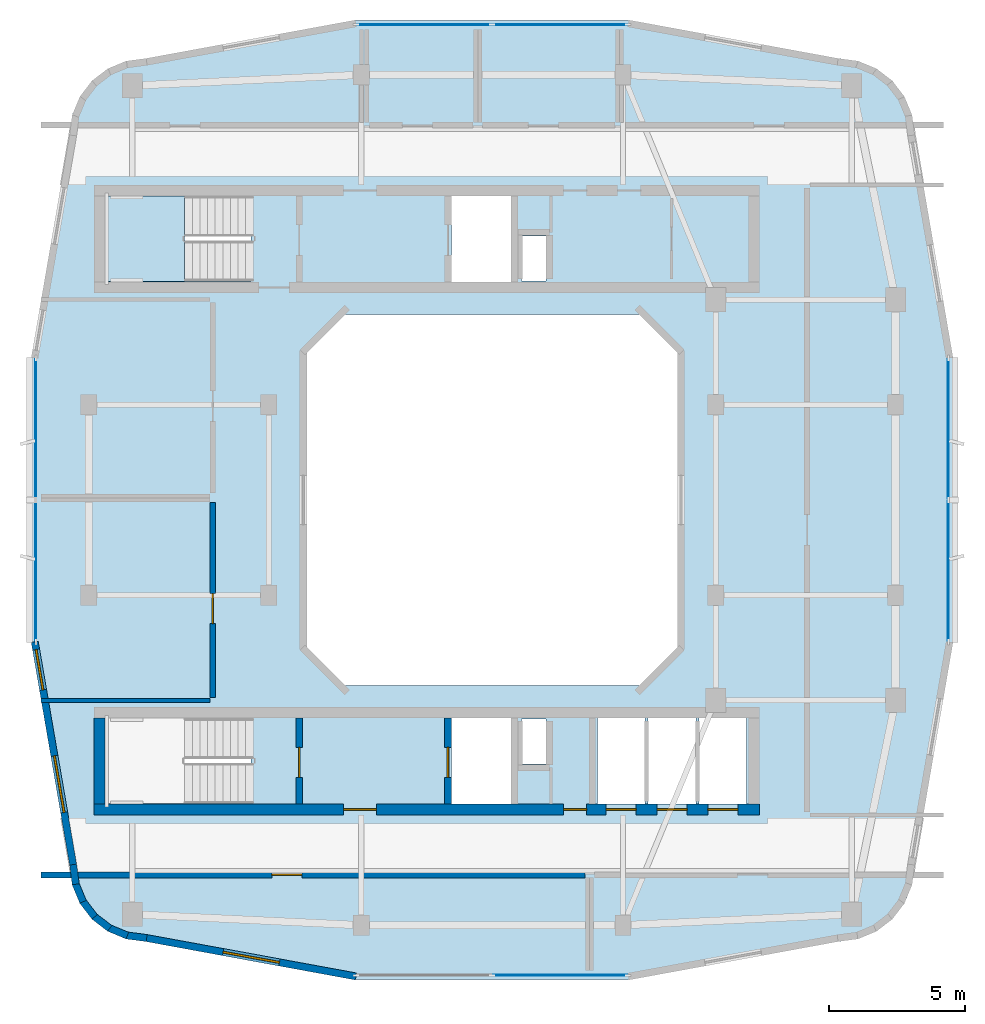
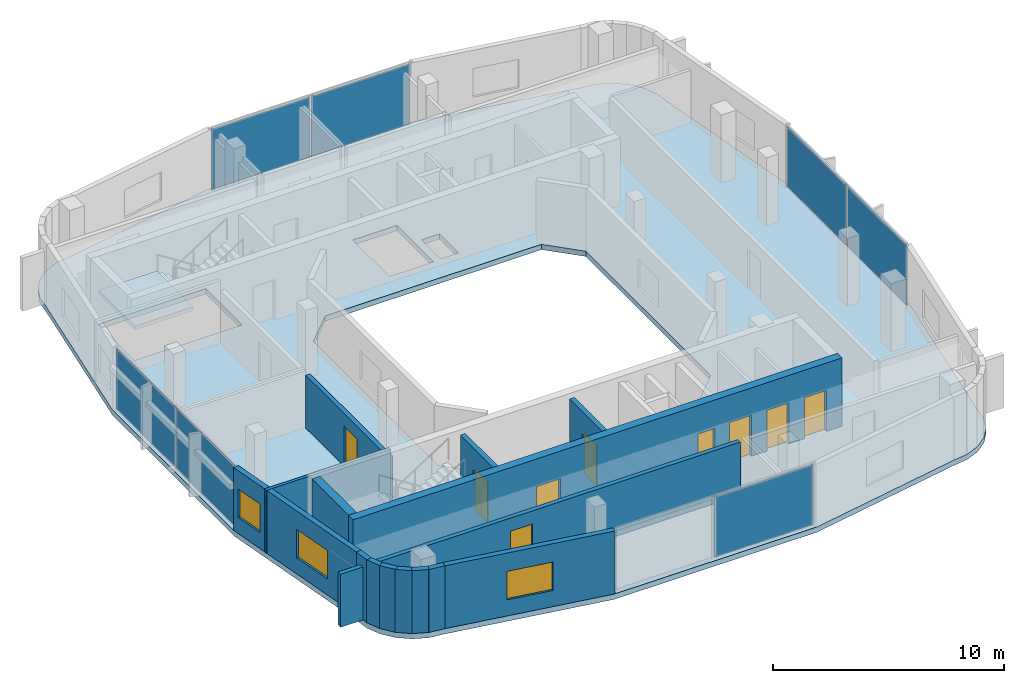
# One storey, part 3 of 10: 15 walls, 9 doors, 7 plates, 3 windows, 2 slabs, 12 openings, 5 elements without a shape of their own.
"""IFC4 building model written with IfcOpenShell, lengths in metres."""

from ifc_helpers import new_model, si_unit, derived_unit, direction, frame, frame_2d, origin, origin_2d, place, context, subcontext, project, spatial, polyline, rectangle, outline, extrude, material, layer, layer_set, type_object, element, fill, aggregate, save


model = new_model("IFC4")

# Units and contexts
model_context = context("Model", 3, precision=1e-05, world=origin(), true_north=direction((0.0, 1.0)))
body_context = subcontext(model_context, "Body", "Model", "MODEL_VIEW")
ifc_project = project(units=[si_unit("LENGTHUNIT", "METRE"), si_unit("AREAUNIT", "SQUARE_METRE"), si_unit("VOLUMEUNIT", "CUBIC_METRE"), si_unit("PLANEANGLEUNIT", "RADIAN"), si_unit("MASSUNIT", "GRAM", prefix="KILO"), derived_unit("THERMALTRANSMITTANCEUNIT", [(si_unit("POWERUNIT", "WATT"), 1), (si_unit("LENGTHUNIT", "METRE"), -2), (si_unit("THERMODYNAMICTEMPERATUREUNIT", "KELVIN"), -1)])], contexts=[model_context])

# Site, building, storey
site_placement = place(None, origin())
site = spatial("IfcSite", under=ifc_project, at=site_placement, CompositionType="ELEMENT")
building_placement = place(site_placement, origin())
building = spatial("IfcBuilding", under=site, at=building_placement, Name="Kivonza Crest Hotel", CompositionType="ELEMENT")
storey_placement = place(building_placement, frame((0.0, 0.0, 264.800048828125)))
storey = spatial("IfcBuildingStorey", under=building, at=storey_placement, Name="L72", CompositionType="ELEMENT", Elevation=264.800048828125)

# Curtain wall, plate
ifc_material_1 = material(Name="Anodised bronze aluminium and low-E double glazing", Category="aluminium")
ifc_layer_1 = layer(ifc_material_1, 0.199951171875)
ifc_layer_set_1 = layer_set([ifc_layer_1], Name="Anodised bronze aluminium and low-E double glazing")
curtain_wall_type = type_object("IfcCurtainWallType", Name="CW-SYS-6", PredefinedType="NOTDEFINED", material=ifc_layer_set_1)
curtain_wall_1_placement = place(storey_placement, origin())
curtain_wall_1 = element("IfcCurtainWall", 1, at=curtain_wall_1_placement, inside=storey, type_object=curtain_wall_type, Name="L72 unitised curtain wall CW-T1-L72-08", PredefinedType="NOTDEFINED")
ifc_material_2 = material(Name="Acoustic triple-laminated low-E glazing", Category="glass")
ifc_layer_2 = layer(ifc_material_2, 0.035888671875)
ifc_layer_set_2 = layer_set([ifc_layer_2], Name="Acoustic triple-laminated low-E glazing")
plate_type = type_object("IfcPlateType", Name="CW-PNL-36", PredefinedType="CURTAIN_PANEL", material=ifc_layer_set_2)
plate_1_placement = place(storey_placement, frame((23.496337890625, 7.56005859375, 0.074951171875), z_axis=(0.0, 0.0, 1.0), x_axis=(1.0, 0.0, 0.0)))
plate_1 = element("IfcPlate", 2, at=plate_1_placement, type_object=plate_type, Name="CW-6 panel 2.1", PredefinedType="CURTAIN_PANEL", context=body_context, shape_type="SweptSolid", body=[
    extrude(rectangle(XDim=4.91748046875, YDim=0.035888671875, at=origin_2d()), origin(), (0.0, 0.0, 1.0), 3.169921875),
])
aggregate(curtain_wall_1, [plate_1])

# Curtain wall, plates
curtain_wall_2_placement = place(storey_placement, origin())
curtain_wall_2 = element("IfcCurtainWall", 3, at=curtain_wall_2_placement, inside=storey, type_object=curtain_wall_type, Name="L72 unitised curtain wall CW-T1-L72-17", PredefinedType="NOTDEFINED")
plate_2_placement = place(storey_placement, frame((37.739990234375, 22.398681640625, 0.074951171875), z_axis=(0.0, 0.0, 1.0), x_axis=(0.0, 1.0, 0.0)))
plate_2 = element("IfcPlate", 4, at=plate_2_placement, type_object=plate_type, Name="CW-6 panel 1.1", PredefinedType="CURTAIN_PANEL", context=body_context, shape_type="SweptSolid", body=[
    extrude(rectangle(XDim=5.12744140625, YDim=0.035888671875, at=origin_2d()), origin(), (0.0, 0.0, 1.0), 3.169921875),
])
plate_3_placement = place(storey_placement, frame((37.739990234375, 27.601318359375, 0.074951171875), z_axis=(0.0, 0.0, 1.0), x_axis=(0.0, 1.0, 0.0)))
plate_3 = element("IfcPlate", 5, at=plate_3_placement, type_object=plate_type, Name="CW-6 panel 2.1", PredefinedType="CURTAIN_PANEL", context=body_context, shape_type="SweptSolid", body=[
    extrude(rectangle(XDim=5.12744140625, YDim=0.035888671875, at=origin_2d()), origin(), (0.0, 0.0, 1.0), 3.169921875),
])
aggregate(curtain_wall_2, [plate_2, plate_3])

curtain_wall_3_placement = place(storey_placement, origin())
curtain_wall_3 = element("IfcCurtainWall", 6, at=curtain_wall_3_placement, inside=storey, type_object=curtain_wall_type, Name="L72 unitised curtain wall CW-T1-L72-26", PredefinedType="NOTDEFINED")
plate_4_placement = place(storey_placement, frame((23.496337890625, 42.43994140625, 0.074951171875), z_axis=(0.0, 0.0, 1.0), x_axis=(-1.0, 0.0, 0.0)))
plate_4 = element("IfcPlate", 7, at=plate_4_placement, type_object=plate_type, Name="CW-6 panel 1.1", PredefinedType="CURTAIN_PANEL", context=body_context, shape_type="SweptSolid", body=[
    extrude(rectangle(XDim=4.91748046875, YDim=0.035888671875, at=origin_2d()), origin(), (0.0, 0.0, 1.0), 3.169921875),
])
plate_5_placement = place(storey_placement, frame((18.503662109375, 42.43994140625, 0.074951171875), z_axis=(0.0, 0.0, 1.0), x_axis=(-1.0, 0.0, 0.0)))
plate_5 = element("IfcPlate", 8, at=plate_5_placement, type_object=plate_type, Name="CW-6 panel 2.1", PredefinedType="CURTAIN_PANEL", context=body_context, shape_type="SweptSolid", body=[
    extrude(rectangle(XDim=4.91748046875, YDim=0.035888671875, at=origin_2d()), origin(), (0.0, 0.0, 1.0), 3.169921875),
])
aggregate(curtain_wall_3, [plate_4, plate_5])

curtain_wall_4_placement = place(storey_placement, origin())
curtain_wall_4 = element("IfcCurtainWall", 9, at=curtain_wall_4_placement, inside=storey, type_object=curtain_wall_type, Name="L72 unitised curtain wall CW-T1-L72-35", PredefinedType="NOTDEFINED")
plate_6_placement = place(storey_placement, frame((4.260009765625, 27.601318359375, 0.074951171875), z_axis=(0.0, 0.0, 1.0), x_axis=(0.0, -1.0, 0.0)))
plate_6 = element("IfcPlate", 10, at=plate_6_placement, type_object=plate_type, Name="CW-6 panel 1.1", PredefinedType="CURTAIN_PANEL", context=body_context, shape_type="SweptSolid", body=[
    extrude(rectangle(XDim=5.12744140625, YDim=0.035888671875, at=origin_2d()), origin(), (0.0, 0.0, 1.0), 3.169921875),
])
plate_7_placement = place(storey_placement, frame((4.260009765625, 22.398681640625, 0.074951171875), z_axis=(0.0, 0.0, 1.0), x_axis=(0.0, -1.0, 0.0)))
plate_7 = element("IfcPlate", 11, at=plate_7_placement, type_object=plate_type, Name="CW-6 panel 2.1", PredefinedType="CURTAIN_PANEL", context=body_context, shape_type="SweptSolid", body=[
    extrude(rectangle(XDim=5.12744140625, YDim=0.035888671875, at=origin_2d()), origin(), (0.0, 0.0, 1.0), 3.169921875),
])
aggregate(curtain_wall_4, [plate_6, plate_7])

# Slab
ifc_material_3 = material(Name="Concrete C40/50", Category="concrete")
ifc_layer_3 = layer(ifc_material_3, 0.280029296875)
ifc_layer_set_3 = layer_set([ifc_layer_3], Name="Concrete C40/50")
slab_type_1 = type_object("IfcSlabType", Name="SL-HTL-280", PredefinedType="FLOOR", material=ifc_layer_set_3)
slab_1_placement = place(storey_placement, frame((0.0, 0.0, -0.280029296875)))
element("IfcSlab", 12, at=slab_1_placement, inside=storey, type_object=slab_type_1, Name="Tower T1 L72 floor slab", PredefinedType="FLOOR", context=body_context, shape_type="SweptSolid", body=[
    extrude(outline(polyline([(5.5, 11.60009765625), (5.594970703125, 10.875), (5.875, 10.199951171875), (6.320068359375, 9.6201171875), (6.89990234375, 9.175048828125), (7.574951171875, 8.89501953125), (8.300048828125, 8.800048828125), (15.929931640625, 7.39990234375), (26.070068359375, 7.39990234375), (33.699951171875, 8.800048828125), (34.425048828125, 8.89501953125), (35.10009765625, 9.175048828125), (35.679931640625, 9.6201171875), (36.125, 10.199951171875), (36.405029296875, 10.875), (36.5, 11.60009765625), (37.89990234375, 19.719970703125), (37.89990234375, 30.280029296875), (36.5, 38.39990234375), (36.405029296875, 39.125), (36.125, 39.800048828125), (35.679931640625, 40.3798828125), (35.10009765625, 40.824951171875), (34.425048828125, 41.10498046875), (33.699951171875, 41.199951171875), (26.070068359375, 42.60009765625), (15.929931640625, 42.60009765625), (8.300048828125, 41.199951171875), (7.574951171875, 41.10498046875), (6.89990234375, 40.824951171875), (6.320068359375, 40.3798828125), (5.875, 39.800048828125), (5.594970703125, 39.125), (5.5, 38.39990234375), (4.10009765625, 30.280029296875), (4.10009765625, 19.719970703125), (5.5, 11.60009765625)]), holes=[polyline([(15.60009765625, 18.199951171875), (26.39990234375, 18.199951171875), (27.800048828125, 19.60009765625), (27.800048828125, 30.39990234375), (26.39990234375, 31.800048828125), (15.60009765625, 31.800048828125), (14.199951171875, 30.39990234375), (14.199951171875, 19.60009765625), (15.60009765625, 18.199951171875)]), polyline([(6.800048828125, 33.02001953125), (12.159912109375, 33.02001953125), (12.159912109375, 36.159912109375), (6.800048828125, 36.159912109375), (6.800048828125, 33.02001953125)]), polyline([(6.800048828125, 13.860107421875), (12.159912109375, 13.860107421875), (12.159912109375, 17.0), (6.800048828125, 17.0), (6.800048828125, 13.860107421875)]), polyline([(22.080078125, 33.0400390625), (22.969970703125, 33.0400390625), (22.969970703125, 34.679931640625), (22.080078125, 34.679931640625), (22.080078125, 33.0400390625)]), polyline([(22.080078125, 15.320068359375), (22.969970703125, 15.320068359375), (22.969970703125, 16.9599609375), (22.080078125, 16.9599609375), (22.080078125, 15.320068359375)]), polyline([(19.5, 33.0), (21.699951171875, 33.0), (21.699951171875, 36.159912109375), (19.5, 36.159912109375), (19.5, 33.0)]), polyline([(19.5, 13.840087890625), (21.699951171875, 13.840087890625), (21.699951171875, 17.0), (19.5, 17.0), (19.5, 13.840087890625)]), polyline([(24.860107421875, 13.840087890625), (26.60693359375, 13.840087890625), (26.60693359375, 17.0), (24.860107421875, 17.0), (24.860107421875, 13.840087890625)]), polyline([(26.72705078125, 13.840087890625), (28.472900390625, 13.840087890625), (28.472900390625, 17.0), (26.72705078125, 17.0), (26.72705078125, 13.840087890625)]), polyline([(28.593017578125, 13.840087890625), (30.340087890625, 13.840087890625), (30.340087890625, 17.0), (28.593017578125, 17.0), (28.593017578125, 13.840087890625)])]), origin(), (0.0, 0.0, 1.0), 0.280029296875),
])

# Stair, slab
stair_type = type_object("IfcStairType", Name="ST-DL-20R", PredefinedType="HALF_TURN_STAIR", material=ifc_material_3)
stair_placement = place(storey_placement, origin())
stair = element("IfcStair", 13, at=stair_placement, inside=storey, type_object=stair_type, Name="L72 Protected Exit Stair ST-T1-N", PredefinedType="HALF_TURN_STAIR")
ifc_layer_4 = layer(ifc_material_3, 0.199951171875)
ifc_layer_set_4 = layer_set([ifc_layer_4], Name="Concrete C40/50")
slab_type_2 = type_object("IfcSlabType", Name="SL-LAND-200", PredefinedType="LANDING", material=ifc_layer_set_4)
slab_2_placement = place(storey_placement, frame((0.0, 0.0, 1.599853515625)))
slab_2 = element("IfcSlab", 14, at=slab_2_placement, type_object=slab_type_2, Name="ST-T1-N landing 1", PredefinedType="LANDING", context=body_context, shape_type="SweptSolid", body=[
    extrude(outline(polyline([(9.719970703125, 36.159912109375), (6.800048828125, 36.159912109375), (6.800048828125, 33.02001953125), (9.719970703125, 33.02001953125), (9.719970703125, 36.159912109375)])), origin(), (0.0, 0.0, 1.0), 0.2001953125),
])
aggregate(stair, [slab_2])

# Wall, opening, door
ifc_material_4 = material(Name="Autoclaved aerated concrete blockwork", Category="masonry")
ifc_layer_5 = layer(ifc_material_4, 0.219970703125)
ifc_layer_set_5 = layer_set([ifc_layer_5], Name="Autoclaved aerated concrete blockwork")
wall_type_1 = type_object("IfcWallType", Name="WL-ACOU-220", PredefinedType="SOLIDWALL", material=ifc_layer_set_5)
wall_1_placement = place(storey_placement, frame((10.75, 17.75, 0.0), z_axis=(0.0, 0.0, 1.0), x_axis=(0.0, 1.0, 0.0)))
wall_1 = element("IfcWall", 15, at=wall_1_placement, inside=storey, type_object=wall_type_1, Name="L72 interior partition WA-L72-PDR-A-E", PredefinedType="SOLIDWALL", context=body_context, shape_type="SweptSolid", body=[
    extrude(rectangle(XDim=7.14990234375, YDim=0.219970703125, at=frame_2d((3.574951171875, 0.0))), origin(), (0.0, 0.0, 1.0), 2.794921875),
])
opening_1_placement = place(wall_1_placement, frame((2.712890625, 0.0, 0.0)))
opening_1 = element("IfcOpeningElement", 16, at=opening_1_placement, cuts=wall_1, Name="Opening DF-60M", PredefinedType="OPENING", context=body_context, shape_type="SweptSolid", body=[
    extrude(rectangle(XDim=1.10009765625, YDim=2.10009765625, at=frame_2d((0.550048828125, 1.050048828125))), frame((0.0, 0.1201171875, 0.0), z_axis=(0.0, -1.0, 0.0), x_axis=(1.0, 0.0, 0.0)), (0.0, 0.0, 1.0), 0.239990234375),
])
ifc_material_5 = material(Name="Hardwood timber oak", Category="wood")
door_type_1 = type_object("IfcDoorType", Name="DR-FD60-1100", OperationType="NOTDEFINED", PredefinedType="DOOR", material=ifc_material_5)
door_1_placement = place(opening_1_placement, origin())
door_1 = element("IfcDoor", 17, at=door_1_placement, inside=storey, type_object=door_type_1, Name="L72 Private Horizon Dining Room door", OperationType="SINGLE_SWING_RIGHT", OverallHeight=2.10009765625, OverallWidth=1.10009765625, PredefinedType="DOOR", context=body_context, shape_type="SweptSolid", body=[
    extrude(rectangle(XDim=1.10009765625, YDim=2.10009765625, at=frame_2d((0.550048828125, 1.050048828125))), frame((0.0, 0.02490234375, 0.0), z_axis=(0.0, -1.0, 0.0), x_axis=(1.0, 0.0, 0.0)), (0.0, 0.0, 1.0), 0.050048828125),
])
fill(opening_1, door_1)

wall_2_placement = place(storey_placement, frame((4.43994140625, 11.25, 0.0), z_axis=(0.0, 0.0, 1.0), x_axis=(1.0, 0.0, 0.0)))
wall_2 = element("IfcWall", 18, at=wall_2_placement, inside=storey, type_object=wall_type_1, Name="L72 interior partition WA-L72-CRKIT-N", PredefinedType="SOLIDWALL", context=body_context, shape_type="SweptSolid", body=[
    extrude(rectangle(XDim=19.9599609375, YDim=0.219970703125, at=frame_2d((9.97998046875, 0.0))), origin(), (0.0, 0.0, 1.0), 2.794921875),
])
opening_2_placement = place(wall_2_placement, frame((8.47705078125, 0.0, 0.0)))
opening_2 = element("IfcOpeningElement", 19, at=opening_2_placement, cuts=wall_2, Name="Opening DF-60M", PredefinedType="OPENING", context=body_context, shape_type="SweptSolid", body=[
    extrude(rectangle(XDim=1.10009765625, YDim=2.10009765625, at=frame_2d((0.550048828125, 1.050048828125))), frame((0.0, 0.1201171875, 0.0), z_axis=(0.0, -1.0, 0.0), x_axis=(1.0, 0.0, 0.0)), (0.0, 0.0, 1.0), 0.239990234375),
])
door_2_placement = place(opening_2_placement, frame((1.10009765625, 0.0, 0.0), z_axis=(0.0, 0.0, 1.0), x_axis=(-1.0, 0.0, 0.0)))
door_2 = element("IfcDoor", 20, at=door_2_placement, inside=storey, type_object=door_type_1, Name="L72 Sky Restaurant Finishing Kitchen door", OperationType="SINGLE_SWING_RIGHT", OverallHeight=2.10009765625, OverallWidth=1.10009765625, PredefinedType="DOOR", context=body_context, shape_type="SweptSolid", body=[
    extrude(rectangle(XDim=1.10009765625, YDim=2.10009765625, at=frame_2d((0.550048828125, 1.050048828125))), frame((0.0, 0.02490234375, 0.0), z_axis=(0.0, -1.0, 0.0), x_axis=(1.0, 0.0, 0.0)), (0.0, 0.0, 1.0), 0.050048828125),
])
fill(opening_2, door_2)

# Wall, openings, doors
ifc_material_6 = material(Name="Concrete C50/60", Category="concrete")
ifc_layer_6 = layer(ifc_material_6, 0.39990234375)
ifc_layer_set_6 = layer_set([ifc_layer_6], Name="Concrete C50/60")
wall_type_2 = type_object("IfcWallType", Name="WL-CORE-400", PredefinedType="SHEAR", material=ifc_layer_set_6)
wall_3_placement = place(storey_placement, frame((6.39990234375, 13.639892578125, 0.0), z_axis=(0.0, 0.0, 1.0), x_axis=(1.0, 0.0, 0.0)))
wall_3 = element("IfcWall", 21, at=wall_3_placement, inside=storey, type_object=wall_type_2, Name="Core wall T1-S South L72", PredefinedType="SHEAR", context=body_context, shape_type="SweptSolid", body=[
    extrude(rectangle(XDim=24.400146484375, YDim=0.39990234375, at=frame_2d((12.2001953125, 0.0))), origin(), (0.0, 0.0, 1.0), 3.599853515625),
])
opening_3_placement = place(wall_3_placement, frame((9.14990234375, 0.0, 0.0)))
opening_3 = element("IfcOpeningElement", 22, at=opening_3_placement, cuts=wall_3, Name="Opening DF-60", PredefinedType="OPENING", context=body_context, shape_type="SweptSolid", body=[
    extrude(rectangle(XDim=1.199951171875, YDim=2.14990234375, at=frame_2d((0.60009765625, 1.074951171875))), frame((0.0, 0.2099609375, 0.0), z_axis=(0.0, -1.0, 0.0), x_axis=(1.0, 0.0, 0.0)), (0.0, 0.0, 1.0), 0.419921875),
])
opening_4_placement = place(wall_3_placement, frame((17.219970703125, 0.0, 0.0)))
opening_4 = element("IfcOpeningElement", 23, at=opening_4_placement, cuts=wall_3, Name="Opening DF-60R", PredefinedType="OPENING", context=body_context, shape_type="SweptSolid", body=[
    extrude(rectangle(XDim=0.85009765625, YDim=2.10009765625, at=frame_2d((0.425048828125, 1.050048828125))), frame((0.0, 0.2099609375, 0.0), z_axis=(0.0, -1.0, 0.0), x_axis=(1.0, 0.0, 0.0)), (0.0, 0.0, 1.0), 0.419921875),
])
opening_5_placement = place(wall_3_placement, frame((18.782958984375, 0.0, 0.0)))
opening_5 = element("IfcOpeningElement", 24, at=opening_5_placement, cuts=wall_3, Name="Opening LD-120", PredefinedType="OPENING", context=body_context, shape_type="SweptSolid", body=[
    extrude(rectangle(XDim=1.10009765625, YDim=2.14990234375, at=frame_2d((0.550048828125, 1.074951171875))), frame((0.0, 0.2099609375, 0.0), z_axis=(0.0, -1.0, 0.0), x_axis=(1.0, 0.0, 0.0)), (0.0, 0.0, 1.0), 0.419921875),
])
opening_6_placement = place(wall_3_placement, frame((20.64990234375, 0.0, 0.0)))
opening_6 = element("IfcOpeningElement", 25, at=opening_6_placement, cuts=wall_3, Name="Opening LD-120", PredefinedType="OPENING", context=body_context, shape_type="SweptSolid", body=[
    extrude(rectangle(XDim=1.10009765625, YDim=2.14990234375, at=frame_2d((0.550048828125, 1.074951171875))), frame((0.0, 0.2099609375, 0.0), z_axis=(0.0, -1.0, 0.0), x_axis=(1.0, 0.0, 0.0)), (0.0, 0.0, 1.0), 0.419921875),
])
opening_7_placement = place(wall_3_placement, frame((22.51708984375, 0.0, 0.0)))
opening_7 = element("IfcOpeningElement", 26, at=opening_7_placement, cuts=wall_3, Name="Opening LD-120", PredefinedType="OPENING", context=body_context, shape_type="SweptSolid", body=[
    extrude(rectangle(XDim=1.10009765625, YDim=2.14990234375, at=frame_2d((0.550048828125, 1.074951171875))), frame((0.0, 0.2099609375, 0.0), z_axis=(0.0, -1.0, 0.0), x_axis=(1.0, 0.0, 0.0)), (0.0, 0.0, 1.0), 0.419921875),
])
door_type_2 = type_object("IfcDoorType", Name="DR-FD60-1200", OperationType="NOTDEFINED", PredefinedType="DOOR", material=ifc_material_5)
door_3_placement = place(opening_3_placement, frame((1.199951171875, 0.0, 0.0), z_axis=(0.0, 0.0, 1.0), x_axis=(-1.0, 0.0, 0.0)))
door_3 = element("IfcDoor", 27, at=door_3_placement, inside=storey, type_object=door_type_2, Name="L72 T1-S firefighting lobby fire door", OperationType="SINGLE_SWING_LEFT", OverallHeight=2.14990234375, OverallWidth=1.199951171875, PredefinedType="DOOR", context=body_context, shape_type="SweptSolid", body=[
    extrude(rectangle(XDim=1.199951171875, YDim=2.14990234375, at=frame_2d((0.60009765625, 1.074951171875))), frame((0.0, 0.02490234375, 0.0), z_axis=(0.0, -1.0, 0.0), x_axis=(1.0, 0.0, 0.0)), (0.0, 0.0, 1.0), 0.050048828125),
])
fill(opening_3, door_3)
door_type_3 = type_object("IfcDoorType", Name="DR-FD60-850", OperationType="NOTDEFINED", PredefinedType="DOOR", material=ifc_material_5)
door_4_placement = place(opening_4_placement, frame((0.85009765625, 0.0, 0.0), z_axis=(0.0, 0.0, 1.0), x_axis=(-1.0, 0.0, 0.0)))
door_4 = element("IfcDoor", 28, at=door_4_placement, inside=storey, type_object=door_type_3, Name="L72 T1-S core room door", OperationType="SINGLE_SWING_RIGHT", OverallHeight=2.10009765625, OverallWidth=0.85009765625, PredefinedType="DOOR", context=body_context, shape_type="SweptSolid", body=[
    extrude(rectangle(XDim=0.85009765625, YDim=2.10009765625, at=frame_2d((0.425048828125, 1.050048828125))), frame((0.0, 0.02490234375, 0.0), z_axis=(0.0, -1.0, 0.0), x_axis=(1.0, 0.0, 0.0)), (0.0, 0.0, 1.0), 0.050048828125),
])
fill(opening_4, door_4)
ifc_material_7 = material(Name="Stainless steel", Category="steel")
door_type_4 = type_object("IfcDoorType", Name="DR-LD120-1100", OperationType="NOTDEFINED", PredefinedType="DOOR", material=ifc_material_7)
door_5_placement = place(opening_5_placement, frame((1.10009765625, 0.0, 0.0), z_axis=(0.0, 0.0, 1.0), x_axis=(-1.0, 0.0, 0.0)))
door_5 = element("IfcDoor", 29, at=door_5_placement, inside=storey, type_object=door_type_4, Name="L72 PL-T1-H1 passenger lift sliding landing door", OperationType="DOUBLE_DOOR_SLIDING", OverallHeight=2.14990234375, OverallWidth=1.10009765625, PredefinedType="DOOR", context=body_context, shape_type="SweptSolid", body=[
    extrude(rectangle(XDim=1.10009765625, YDim=2.14990234375, at=frame_2d((0.550048828125, 1.074951171875))), frame((0.0, 0.02490234375, 0.0), z_axis=(0.0, -1.0, 0.0), x_axis=(1.0, 0.0, 0.0)), (0.0, 0.0, 1.0), 0.050048828125),
])
fill(opening_5, door_5)
door_6_placement = place(opening_6_placement, frame((1.10009765625, 0.0, 0.0), z_axis=(0.0, 0.0, 1.0), x_axis=(-1.0, 0.0, 0.0)))
door_6 = element("IfcDoor", 30, at=door_6_placement, inside=storey, type_object=door_type_4, Name="L72 PL-T1-H2 passenger lift sliding landing door", OperationType="DOUBLE_DOOR_SLIDING", OverallHeight=2.14990234375, OverallWidth=1.10009765625, PredefinedType="DOOR", context=body_context, shape_type="SweptSolid", body=[
    extrude(rectangle(XDim=1.10009765625, YDim=2.14990234375, at=frame_2d((0.550048828125, 1.074951171875))), frame((0.0, 0.02490234375, 0.0), z_axis=(0.0, -1.0, 0.0), x_axis=(1.0, 0.0, 0.0)), (0.0, 0.0, 1.0), 0.050048828125),
])
fill(opening_6, door_6)
door_7_placement = place(opening_7_placement, frame((1.10009765625, 0.0, 0.0), z_axis=(0.0, 0.0, 1.0), x_axis=(-1.0, 0.0, 0.0)))
door_7 = element("IfcDoor", 31, at=door_7_placement, inside=storey, type_object=door_type_4, Name="L72 PL-T1-H3 passenger lift sliding landing door", OperationType="DOUBLE_DOOR_SLIDING", OverallHeight=2.14990234375, OverallWidth=1.10009765625, PredefinedType="DOOR", context=body_context, shape_type="SweptSolid", body=[
    extrude(rectangle(XDim=1.10009765625, YDim=2.14990234375, at=frame_2d((0.550048828125, 1.074951171875))), frame((0.0, 0.02490234375, 0.0), z_axis=(0.0, -1.0, 0.0), x_axis=(1.0, 0.0, 0.0)), (0.0, 0.0, 1.0), 0.050048828125),
])
fill(opening_7, door_7)

# Walls
wall_4_placement = place(storey_placement, frame((6.60009765625, 13.840087890625, 0.0), z_axis=(0.0, 0.0, 1.0), x_axis=(0.0, 1.0, 0.0)))
element("IfcWall", 32, at=wall_4_placement, inside=storey, type_object=wall_type_2, Name="Core wall T1-S West L72", PredefinedType="SHEAR", context=body_context, shape_type="SweptSolid", body=[
    extrude(rectangle(XDim=3.159912109375, YDim=0.39990234375, at=frame_2d((1.580078125, 0.0))), origin(), (0.0, 0.0, 1.0), 3.599853515625),
])
ifc_material_8 = material(Name="Precast concrete C40/50", Category="concrete")
ifc_layer_7 = layer(ifc_material_8, 0.260009765625)
ifc_layer_set_7 = layer_set([ifc_layer_7], Name="Precast concrete C40/50")
wall_type_3 = type_object("IfcWallType", Name="WL-EXT-260", PredefinedType="STANDARD", material=ifc_layer_set_7)
wall_5_placement = place(storey_placement, frame((5.6279296875, 11.625, 0.0), z_axis=(0.0, 0.0, 1.0), x_axis=(0.130255288807, -0.991480488834, 0.0)))
element("IfcWall", 33, at=wall_5_placement, inside=storey, type_object=wall_type_3, Name="L72 T1 exterior insulated wall 1", PredefinedType="STANDARD", context=body_context, shape_type="SweptSolid", body=[
    extrude(rectangle(XDim=0.72900390625, YDim=0.260009765625, at=frame_2d((0.364501953125, 0.0))), origin(), (0.0, 0.0, 1.0), 3.320068359375),
])
wall_6_placement = place(storey_placement, frame((5.705078125, 10.947998046875, 0.0), z_axis=(0.0, 0.0, 1.0), x_axis=(0.383267045233, -0.923637576129, 0.0)))
element("IfcWall", 34, at=wall_6_placement, inside=storey, type_object=wall_type_3, Name="L72 T1 exterior insulated wall 2", PredefinedType="STANDARD", context=body_context, shape_type="SweptSolid", body=[
    extrude(rectangle(XDim=0.745849609375, YDim=0.260009765625, at=frame_2d((0.373046875, 0.0))), origin(), (0.0, 0.0, 1.0), 3.320068359375),
])
for number, where, z_axis, x_axis, name in (
    (35, (5.962890625, 10.299072265625, 0.0), (0.0, 0.0, 1.0), (0.608603261071, -0.793474681772, 0.0), "L72 T1 exterior insulated wall 3"),
    (36, (6.37890625, 9.738037109375, 0.0), (0.0, 0.0, 1.0), (0.793474681772, -0.608603261071, 0.0), "L72 T1 exterior insulated wall 4"),
):
    element("IfcWall", number, at=place(storey_placement, frame(where, z_axis=z_axis, x_axis=x_axis)), inside=storey, type_object=wall_type_3, Name=name, PredefinedType="STANDARD", context=body_context, shape_type="SweptSolid", body=[
        extrude(rectangle(XDim=0.74609375, YDim=0.260009765625, at=frame_2d((0.373046875, 0.0))), origin(), (0.0, 0.0, 1.0), 3.320068359375),
    ])
wall_7_placement = place(storey_placement, frame((6.927001953125, 9.304931640625, 0.0), z_axis=(0.0, 0.0, 1.0), x_axis=(0.923637576129, -0.383267045233, 0.0)))
element("IfcWall", 37, at=wall_7_placement, inside=storey, type_object=wall_type_3, Name="L72 T1 exterior insulated wall 5", PredefinedType="STANDARD", context=body_context, shape_type="SweptSolid", body=[
    extrude(rectangle(XDim=0.745849609375, YDim=0.260009765625, at=frame_2d((0.373046875, 0.0))), origin(), (0.0, 0.0, 1.0), 3.320068359375),
])
wall_8_placement = place(storey_placement, frame((7.56689453125, 9.027099609375, 0.0), z_axis=(0.0, 0.0, 1.0), x_axis=(0.991559404866, -0.129653178221, 0.0)))
element("IfcWall", 38, at=wall_8_placement, inside=storey, type_object=wall_type_3, Name="L72 T1 exterior insulated wall 6", PredefinedType="STANDARD", context=body_context, shape_type="SweptSolid", body=[
    extrude(rectangle(XDim=0.764404296875, YDim=0.260009765625, at=frame_2d((0.38232421875, 0.0))), origin(), (0.0, 0.0, 1.0), 3.320068359375),
])

# Wall, opening, window
wall_9_placement = place(storey_placement, frame((8.31494140625, 8.928955078125, 0.0), z_axis=(0.0, 0.0, 1.0), x_axis=(0.983591511167, -0.180409919797, 0.0)))
wall_9 = element("IfcWall", 39, at=wall_9_placement, inside=storey, type_object=wall_type_3, Name="L72 T1 exterior insulated wall 7", PredefinedType="STANDARD", context=body_context, shape_type="SweptSolid", body=[
    extrude(rectangle(XDim=7.820556640625, YDim=0.260009765625, at=frame_2d((3.91015625, 0.0))), origin(), (0.0, 0.0, 1.0), 3.320068359375),
])
opening_8_placement = place(wall_9_placement, frame((2.860107421875, 0.0, 0.85009765625)))
opening_8 = element("IfcOpeningElement", 40, at=opening_8_placement, cuts=wall_9, Name="Opening WN-04", PredefinedType="OPENING", context=body_context, shape_type="SweptSolid", body=[
    extrude(rectangle(XDim=2.10009765625, YDim=1.5, at=frame_2d((1.050048828125, 0.75))), frame((0.0, 0.14013671875, 0.0), z_axis=(0.0, -1.0, 0.0), x_axis=(1.0, 0.0, 0.0)), (0.0, 0.0, 1.0), 0.280029296875),
])
ifc_material_9 = material(Name="Thermally broken bronze aluminium and low-E double glazing", Category="aluminium")
window_type_1 = type_object("IfcWindowType", Name="WN-210x150", PartitioningType="DOUBLE_PANEL_VERTICAL", PredefinedType="WINDOW", material=ifc_material_9)
window_1_placement = place(opening_8_placement, origin())
window_1 = element("IfcWindow", 41, at=window_1_placement, inside=storey, type_object=window_type_1, Name="L72 T1 facade window 7", OverallHeight=1.5, OverallWidth=2.10009765625, PartitioningType="SINGLE_PANEL", PredefinedType="WINDOW", context=body_context, shape_type="SweptSolid", body=[
    extrude(rectangle(XDim=2.10009765625, YDim=1.5, at=frame_2d((1.050048828125, 0.75))), frame((0.0, 0.030029296875, 0.0), z_axis=(0.0, -1.0, 0.0), x_axis=(1.0, 0.0, 0.0)), (0.0, 0.0, 1.0), 0.06005859375),
])
fill(opening_8, window_1)

# Wall, openings, windows
wall_10_placement = place(storey_placement, frame((4.218994140625, 19.7958984375, 0.0), z_axis=(0.0, 0.0, 1.0), x_axis=(0.169818291056, -0.985475391891, 0.0)))
wall_10 = element("IfcWall", 42, at=wall_10_placement, inside=storey, type_object=wall_type_3, Name="L72 T1 exterior insulated wall 36", PredefinedType="STANDARD", context=body_context, shape_type="SweptSolid", body=[
    extrude(rectangle(XDim=8.302490234375, YDim=0.260009765625, at=frame_2d((4.1513671875, 0.0))), origin(), (0.0, 0.0, 1.0), 3.320068359375),
])
opening_9_placement = place(wall_10_placement, frame((0.2880859375, 0.0, 0.85009765625)))
opening_9 = element("IfcOpeningElement", 43, at=opening_9_placement, cuts=wall_10, Name="Opening WN-02", PredefinedType="OPENING", context=body_context, shape_type="SweptSolid", body=[
    extrude(rectangle(XDim=1.5, YDim=1.5, at=frame_2d((0.75, 0.75))), frame((0.0, 0.14013671875, 0.0), z_axis=(0.0, -1.0, 0.0), x_axis=(1.0, 0.0, 0.0)), (0.0, 0.0, 1.0), 0.280029296875),
])
opening_10_placement = place(wall_10_placement, frame((4.248046875, 0.0, 0.85009765625)))
opening_10 = element("IfcOpeningElement", 44, at=opening_10_placement, cuts=wall_10, Name="Opening WN-04", PredefinedType="OPENING", context=body_context, shape_type="SweptSolid", body=[
    extrude(rectangle(XDim=2.10009765625, YDim=1.5, at=frame_2d((1.050048828125, 0.75))), frame((0.0, 0.14013671875, 0.0), z_axis=(0.0, -1.0, 0.0), x_axis=(1.0, 0.0, 0.0)), (0.0, 0.0, 1.0), 0.280029296875),
])
window_type_2 = type_object("IfcWindowType", Name="WN-150x150", PartitioningType="DOUBLE_PANEL_VERTICAL", PredefinedType="WINDOW", material=ifc_material_9)
window_2_placement = place(opening_9_placement, origin())
window_2 = element("IfcWindow", 45, at=window_2_placement, inside=storey, type_object=window_type_2, Name="L72 T1 facade window 36 bay 1", OverallHeight=1.5, OverallWidth=1.5, PartitioningType="SINGLE_PANEL", PredefinedType="WINDOW", context=body_context, shape_type="SweptSolid", body=[
    extrude(rectangle(XDim=1.5, YDim=1.5, at=frame_2d((0.75, 0.75))), frame((0.0, 0.030029296875, 0.0), z_axis=(0.0, -1.0, 0.0), x_axis=(1.0, 0.0, 0.0)), (0.0, 0.0, 1.0), 0.06005859375),
])
fill(opening_9, window_2)
window_3_placement = place(opening_10_placement, origin())
window_3 = element("IfcWindow", 46, at=window_3_placement, inside=storey, type_object=window_type_1, Name="L72 T1 facade window 36 bay 2", OverallHeight=1.5, OverallWidth=2.10009765625, PartitioningType="SINGLE_PANEL", PredefinedType="WINDOW", context=body_context, shape_type="SweptSolid", body=[
    extrude(rectangle(XDim=2.10009765625, YDim=1.5, at=frame_2d((1.050048828125, 0.75))), frame((0.0, 0.030029296875, 0.0), z_axis=(0.0, -1.0, 0.0), x_axis=(1.0, 0.0, 0.0)), (0.0, 0.0, 1.0), 0.06005859375),
])
fill(opening_10, window_3)

# Wall
ifc_material_10 = material(Name="Twin-stud acoustic gypsum board partition", Category="gypsum")
ifc_layer_8 = layer(ifc_material_10, 0.14990234375)
ifc_layer_set_8 = layer_set([ifc_layer_8], Name="Twin-stud acoustic gypsum board partition")
wall_type_4 = type_object("IfcWallType", Name="WL-PART-150", PredefinedType="PARTITIONING", material=ifc_layer_set_8)
wall_11_placement = place(storey_placement, frame((4.43994140625, 17.64990234375, 0.0), z_axis=(0.0, 0.0, 1.0), x_axis=(1.0, 0.0, 0.0)))
element("IfcWall", 47, at=wall_11_placement, inside=storey, type_object=wall_type_4, Name="L72 interior partition WP-L72-PDR-A-BS", PredefinedType="PARTITIONING", context=body_context, shape_type="SweptSolid", body=[
    extrude(rectangle(XDim=6.2099609375, YDim=0.14990234375, at=frame_2d((3.10498046875, 0.0))), origin(), (0.0, 0.0, 1.0), 3.320068359375),
])

# Wall, opening, door
ifc_layer_9 = layer(ifc_material_6, 0.25)
ifc_layer_set_9 = layer_set([ifc_layer_9], Name="Concrete C50/60")
wall_type_5 = type_object("IfcWallType", Name="WL-SHAFT-250", PredefinedType="STANDARD", material=ifc_layer_set_9)
wall_12_placement = place(storey_placement, frame((13.925048828125, 13.840087890625, 0.0), z_axis=(0.0, 0.0, 1.0), x_axis=(0.0, 1.0, 0.0)))
wall_12 = element("IfcWall", 48, at=wall_12_placement, inside=storey, type_object=wall_type_5, Name="Core shaft wall T1-S STAIR L72", PredefinedType="STANDARD", context=body_context, shape_type="SweptSolid", body=[
    extrude(rectangle(XDim=3.159912109375, YDim=0.25, at=frame_2d((1.580078125, 0.0))), origin(), (0.0, 0.0, 1.0), 3.320068359375),
])
opening_11_placement = place(wall_12_placement, frame((0.97998046875, 0.0, 0.0)))
opening_11 = element("IfcOpeningElement", 49, at=opening_11_placement, cuts=wall_12, Name="Opening DF-120", PredefinedType="OPENING", context=body_context, shape_type="SweptSolid", body=[
    extrude(rectangle(XDim=1.10009765625, YDim=2.14990234375, at=frame_2d((0.550048828125, 1.074951171875))), frame((0.0, 0.135009765625, 0.0), z_axis=(0.0, -1.0, 0.0), x_axis=(1.0, 0.0, 0.0)), (0.0, 0.0, 1.0), 0.27001953125),
])
ifc_material_11 = material(Name="Galvanised steel", Category="steel")
door_type_5 = type_object("IfcDoorType", Name="DR-FD120-1100", OperationType="NOTDEFINED", PredefinedType="DOOR", material=ifc_material_11)
door_8_placement = place(opening_11_placement, frame((1.10009765625, 0.0, 0.0), z_axis=(0.0, 0.0, 1.0), x_axis=(-1.0, 0.0, 0.0)))
door_8 = element("IfcDoor", 50, at=door_8_placement, inside=storey, type_object=door_type_5, Name="L72 T1-S stair fire door", OperationType="SINGLE_SWING_RIGHT", OverallHeight=2.14990234375, OverallWidth=1.10009765625, PredefinedType="DOOR", context=body_context, shape_type="SweptSolid", body=[
    extrude(rectangle(XDim=1.10009765625, YDim=2.14990234375, at=frame_2d((0.550048828125, 1.074951171875))), frame((0.0, 0.02490234375, 0.0), z_axis=(0.0, -1.0, 0.0), x_axis=(1.0, 0.0, 0.0)), (0.0, 0.0, 1.0), 0.050048828125),
])
fill(opening_11, door_8)

wall_13_placement = place(storey_placement, frame((19.375, 13.840087890625, 0.0), z_axis=(0.0, 0.0, 1.0), x_axis=(0.0, 1.0, 0.0)))
wall_13 = element("IfcWall", 51, at=wall_13_placement, inside=storey, type_object=wall_type_5, Name="Core shaft wall T1-S FFL-W L72", PredefinedType="STANDARD", context=body_context, shape_type="SweptSolid", body=[
    extrude(rectangle(XDim=3.159912109375, YDim=0.25, at=frame_2d((1.580078125, 0.0))), origin(), (0.0, 0.0, 1.0), 3.320068359375),
])
opening_12_placement = place(wall_13_placement, frame((0.97998046875, 0.0, 0.0)))
opening_12 = element("IfcOpeningElement", 52, at=opening_12_placement, cuts=wall_13, Name="Opening LD-120", PredefinedType="OPENING", context=body_context, shape_type="SweptSolid", body=[
    extrude(rectangle(XDim=1.10009765625, YDim=2.14990234375, at=frame_2d((0.550048828125, 1.074951171875))), frame((0.0, 0.135009765625, 0.0), z_axis=(0.0, -1.0, 0.0), x_axis=(1.0, 0.0, 0.0)), (0.0, 0.0, 1.0), 0.27001953125),
])
door_9_placement = place(opening_12_placement, origin())
door_9 = element("IfcDoor", 53, at=door_9_placement, inside=storey, type_object=door_type_4, Name="L72 FFL-T1-S firefighting lift sliding landing door", OperationType="DOUBLE_DOOR_SLIDING", OverallHeight=2.14990234375, OverallWidth=1.10009765625, PredefinedType="DOOR", context=body_context, shape_type="SweptSolid", body=[
    extrude(rectangle(XDim=1.10009765625, YDim=2.14990234375, at=frame_2d((0.550048828125, 1.074951171875))), frame((0.0, 0.02490234375, 0.0), z_axis=(0.0, -1.0, 0.0), x_axis=(1.0, 0.0, 0.0)), (0.0, 0.0, 1.0), 0.050048828125),
])
fill(opening_12, door_9)

save(model, "model.ifc")
